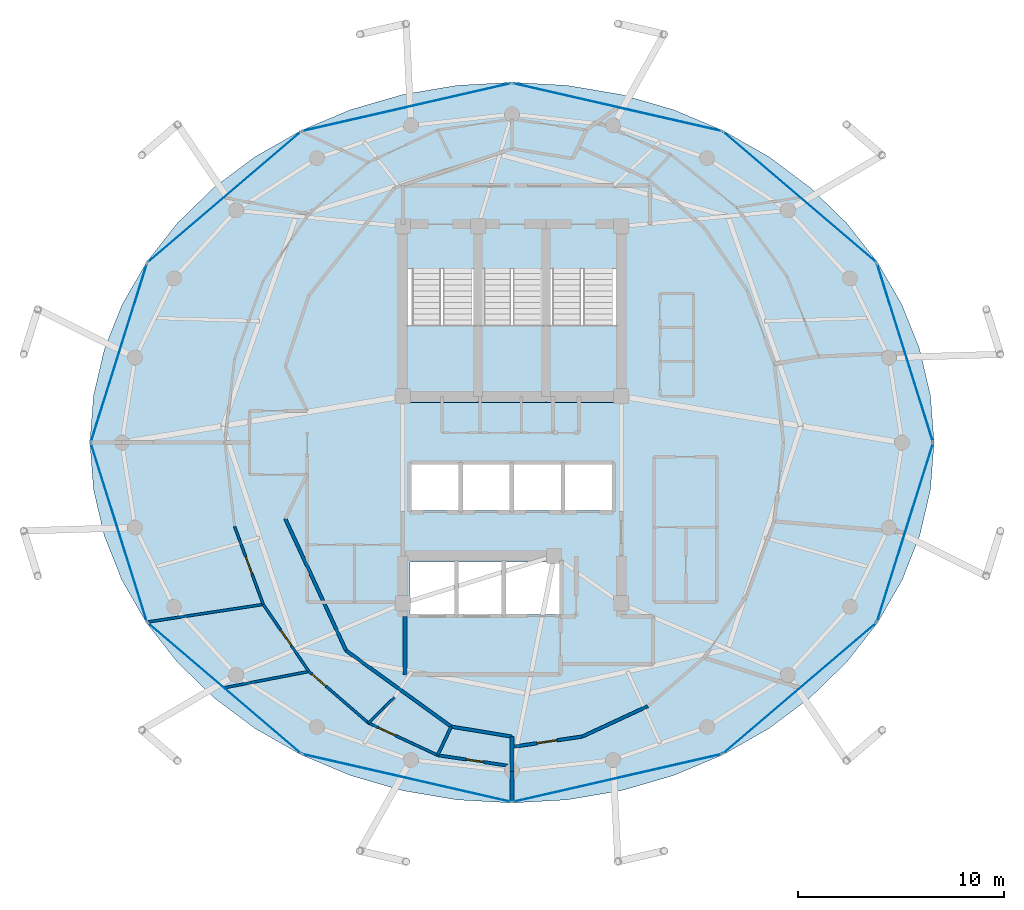
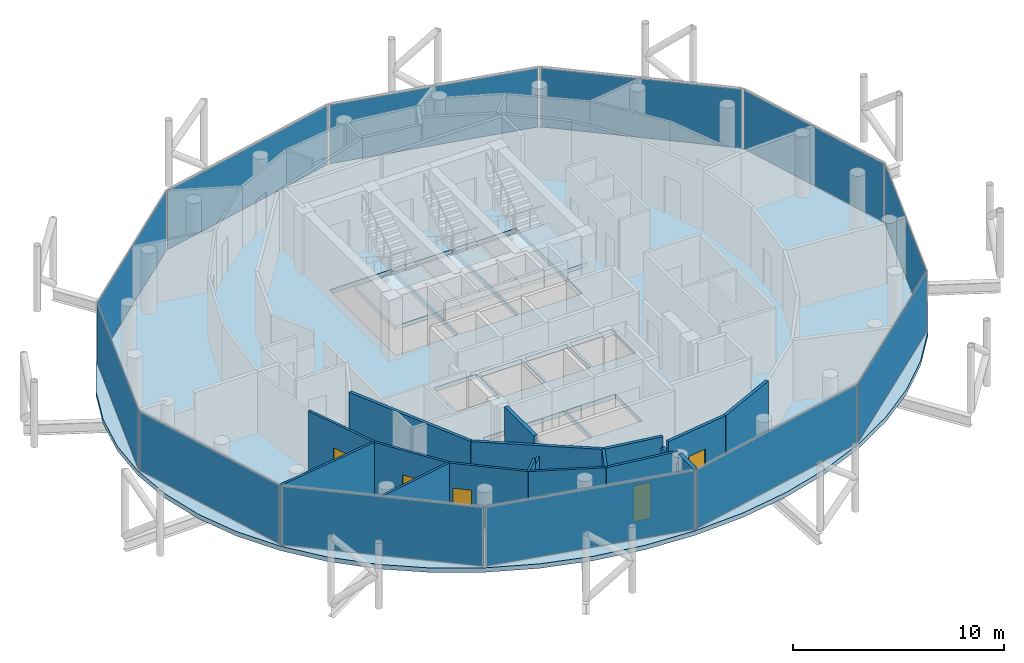
# One storey, part 19 of 24: 18 walls, 12 plates, 6 doors, 4 slabs, 6 openings, 15 elements without a shape of their own.
"""IFC4 building model written with IfcOpenShell, lengths in metres."""

from ifc_helpers import new_model, si_unit, direction, frame, frame_2d, origin, origin_2d, place, context, subcontext, project, spatial, polyline, rectangle, outline, extrude, material, layer, layer_set, type_object, element, fill, aggregate, save


model = new_model("IFC4")

# Units and contexts
model_context = context("Model", 3, precision=1e-05, world=origin(), true_north=direction((0.0, 1.0)))
body_context = subcontext(model_context, "Body", "Model", "MODEL_VIEW")
ifc_project = project(units=[si_unit("LENGTHUNIT", "METRE"), si_unit("AREAUNIT", "SQUARE_METRE"), si_unit("VOLUMEUNIT", "CUBIC_METRE"), si_unit("PLANEANGLEUNIT", "RADIAN"), si_unit("MASSUNIT", "GRAM", prefix="KILO")], contexts=[model_context])

# Site, building, storey
site_placement = place(None, origin())
site = spatial("IfcSite", under=ifc_project, at=site_placement, CompositionType="ELEMENT")
building_placement = place(site_placement, origin())
building = spatial("IfcBuilding", under=site, at=building_placement, Name="Nuhasar Tower", CompositionType="ELEMENT")
storey_placement = place(building_placement, frame((0.0, 0.0, 293.60009765625)))
storey = spatial("IfcBuildingStorey", under=building, at=storey_placement, Name="L73", CompositionType="ELEMENT", Elevation=293.60009765625)

# Curtain wall, plate
ifc_material_1 = material(Name="Aluminium 6063-T6", Category="aluminium")
ifc_layer_1 = layer(ifc_material_1, 0.18994140625)
ifc_layer_set_1 = layer_set([ifc_layer_1], Name="Aluminium 6063-T6")
curtain_wall_type = type_object("IfcCurtainWallType", Name="CW-Z4-PEN", PredefinedType="NOTDEFINED", material=ifc_layer_set_1)
curtain_wall_1_placement = place(storey_placement, origin())
curtain_wall_1 = element("IfcCurtainWall", 1, at=curtain_wall_1_placement, inside=storey, type_object=curtain_wall_type, Name="L73 Unitised Curtain Wall 01", PredefinedType="NOTDEFINED")
ifc_material_2 = material(Name="Glass Double Low-E", Category="glass")
ifc_layer_2 = layer(ifc_material_2, 0.028076171875)
ifc_layer_set_2 = layer_set([ifc_layer_2], Name="Glass Double Low-E")
plate_type = type_object("IfcPlateType", Name="CW-PANEL-GLZ", PredefinedType="CURTAIN_PANEL", material=ifc_layer_set_2)
plate_1_placement = place(storey_placement, frame((58.089599609375, 31.1650390625, 0.06005859375), z_axis=(0.0, 0.0, 1.0), x_axis=(-0.299556614146, 0.954078526601, 0.0)))
plate_1 = element("IfcPlate", 2, at=plate_1_placement, type_object=plate_type, Name="CW-Z4 panel 1.1", PredefinedType="CURTAIN_PANEL", context=body_context, shape_type="SweptSolid", body=[
    extrude(rectangle(XDim=9.0302734375, YDim=0.028076171875, at=origin_2d()), origin(), (0.0, 0.0, 1.0), 3.419921875),
])
aggregate(curtain_wall_1, [plate_1])

curtain_wall_2_placement = place(storey_placement, origin())
curtain_wall_2 = element("IfcCurtainWall", 3, at=curtain_wall_2_placement, inside=storey, type_object=curtain_wall_type, Name="L73 Unitised Curtain Wall 02", PredefinedType="NOTDEFINED")
plate_2_placement = place(storey_placement, frame((52.974609375, 38.7255859375, 0.06005859375), z_axis=(0.0, 0.0, 1.0), x_axis=(-0.760667252327, 0.649141996205, 0.0)))
plate_2 = element("IfcPlate", 4, at=plate_2_placement, type_object=plate_type, Name="CW-Z4 panel 1.1", PredefinedType="CURTAIN_PANEL", context=body_context, shape_type="SweptSolid", body=[
    extrude(rectangle(XDim=9.725341796875, YDim=0.028076171875, at=origin_2d()), origin(), (0.0, 0.0, 1.0), 3.419921875),
])
aggregate(curtain_wall_2, [plate_2])

curtain_wall_3_placement = place(storey_placement, origin())
curtain_wall_3 = element("IfcCurtainWall", 5, at=curtain_wall_3_placement, inside=storey, type_object=curtain_wall_type, Name="L73 Unitised Curtain Wall 03", PredefinedType="NOTDEFINED")
plate_3_placement = place(storey_placement, frame((44.114990234375, 43.090576171875, 0.06005859375), z_axis=(0.0, 0.0, 1.0), x_axis=(-0.97484371891, 0.222889487645, 0.0)))
plate_3 = element("IfcPlate", 6, at=plate_3_placement, type_object=plate_type, Name="CW-Z4 panel 1.1", PredefinedType="CURTAIN_PANEL", context=body_context, shape_type="SweptSolid", body=[
    extrude(rectangle(XDim=10.3740234375, YDim=0.028076171875, at=origin_2d()), origin(), (0.0, 0.0, 1.0), 3.419921875),
])
aggregate(curtain_wall_3, [plate_3])

curtain_wall_4_placement = place(storey_placement, origin())
curtain_wall_4 = element("IfcCurtainWall", 7, at=curtain_wall_4_placement, inside=storey, type_object=curtain_wall_type, Name="L73 Unitised Curtain Wall 04", PredefinedType="NOTDEFINED")
plate_4_placement = place(storey_placement, frame((33.885009765625, 43.090576171875, 0.06005859375), z_axis=(0.0, 0.0, 1.0), x_axis=(-0.97484371891, -0.222889487645, 0.0)))
plate_4 = element("IfcPlate", 8, at=plate_4_placement, type_object=plate_type, Name="CW-Z4 panel 1.1", PredefinedType="CURTAIN_PANEL", context=body_context, shape_type="SweptSolid", body=[
    extrude(rectangle(XDim=10.3740234375, YDim=0.028076171875, at=origin_2d()), origin(), (0.0, 0.0, 1.0), 3.419921875),
])
aggregate(curtain_wall_4, [plate_4])

curtain_wall_5_placement = place(storey_placement, origin())
curtain_wall_5 = element("IfcCurtainWall", 9, at=curtain_wall_5_placement, inside=storey, type_object=curtain_wall_type, Name="L73 Unitised Curtain Wall 05", PredefinedType="NOTDEFINED")
plate_5_placement = place(storey_placement, frame((25.025390625, 38.7255859375, 0.06005859375), z_axis=(0.0, 0.0, 1.0), x_axis=(-0.760667252327, -0.649141996205, 0.0)))
plate_5 = element("IfcPlate", 10, at=plate_5_placement, type_object=plate_type, Name="CW-Z4 panel 1.1", PredefinedType="CURTAIN_PANEL", context=body_context, shape_type="SweptSolid", body=[
    extrude(rectangle(XDim=9.725341796875, YDim=0.028076171875, at=origin_2d()), origin(), (0.0, 0.0, 1.0), 3.419921875),
])
aggregate(curtain_wall_5, [plate_5])

curtain_wall_6_placement = place(storey_placement, origin())
curtain_wall_6 = element("IfcCurtainWall", 11, at=curtain_wall_6_placement, inside=storey, type_object=curtain_wall_type, Name="L73 Unitised Curtain Wall 06", PredefinedType="NOTDEFINED")
plate_6_placement = place(storey_placement, frame((19.910400390625, 31.1650390625, 0.06005859375), z_axis=(0.0, 0.0, 1.0), x_axis=(-0.299556614146, -0.954078526601, 0.0)))
plate_6 = element("IfcPlate", 12, at=plate_6_placement, type_object=plate_type, Name="CW-Z4 panel 1.1", PredefinedType="CURTAIN_PANEL", context=body_context, shape_type="SweptSolid", body=[
    extrude(rectangle(XDim=9.0302734375, YDim=0.028076171875, at=origin_2d()), origin(), (0.0, 0.0, 1.0), 3.419921875),
])
aggregate(curtain_wall_6, [plate_6])

curtain_wall_7_placement = place(storey_placement, origin())
curtain_wall_7 = element("IfcCurtainWall", 13, at=curtain_wall_7_placement, inside=storey, type_object=curtain_wall_type, Name="L73 Unitised Curtain Wall 07", PredefinedType="NOTDEFINED")
plate_7_placement = place(storey_placement, frame((19.910400390625, 22.43505859375, 0.06005859375), z_axis=(0.0, 0.0, 1.0), x_axis=(0.299556614146, -0.954078526601, 0.0)))
plate_7 = element("IfcPlate", 14, at=plate_7_placement, type_object=plate_type, Name="CW-Z4 panel 1.1", PredefinedType="CURTAIN_PANEL", context=body_context, shape_type="SweptSolid", body=[
    extrude(rectangle(XDim=9.0302734375, YDim=0.028076171875, at=origin_2d()), origin(), (0.0, 0.0, 1.0), 3.419921875),
])
aggregate(curtain_wall_7, [plate_7])

curtain_wall_8_placement = place(storey_placement, origin())
curtain_wall_8 = element("IfcCurtainWall", 15, at=curtain_wall_8_placement, inside=storey, type_object=curtain_wall_type, Name="L73 Unitised Curtain Wall 08", PredefinedType="NOTDEFINED")
plate_8_placement = place(storey_placement, frame((25.025390625, 14.87451171875, 0.06005859375), z_axis=(0.0, 0.0, 1.0), x_axis=(0.760667252327, -0.649141996205, 0.0)))
plate_8 = element("IfcPlate", 16, at=plate_8_placement, type_object=plate_type, Name="CW-Z4 panel 1.1", PredefinedType="CURTAIN_PANEL", context=body_context, shape_type="SweptSolid", body=[
    extrude(rectangle(XDim=9.725341796875, YDim=0.028076171875, at=origin_2d()), origin(), (0.0, 0.0, 1.0), 3.419921875),
])
aggregate(curtain_wall_8, [plate_8])

curtain_wall_9_placement = place(storey_placement, origin())
curtain_wall_9 = element("IfcCurtainWall", 17, at=curtain_wall_9_placement, inside=storey, type_object=curtain_wall_type, Name="L73 Unitised Curtain Wall 09", PredefinedType="NOTDEFINED")
plate_9_placement = place(storey_placement, frame((33.885009765625, 10.509521484375, 0.06005859375), z_axis=(0.0, 0.0, 1.0), x_axis=(0.97484371891, -0.222889487645, 0.0)))
plate_9 = element("IfcPlate", 18, at=plate_9_placement, type_object=plate_type, Name="CW-Z4 panel 1.1", PredefinedType="CURTAIN_PANEL", context=body_context, shape_type="SweptSolid", body=[
    extrude(rectangle(XDim=10.3740234375, YDim=0.028076171875, at=origin_2d()), origin(), (0.0, 0.0, 1.0), 3.419921875),
])
aggregate(curtain_wall_9, [plate_9])

curtain_wall_10_placement = place(storey_placement, origin())
curtain_wall_10 = element("IfcCurtainWall", 19, at=curtain_wall_10_placement, inside=storey, type_object=curtain_wall_type, Name="L73 Unitised Curtain Wall 10", PredefinedType="NOTDEFINED")
plate_10_placement = place(storey_placement, frame((44.114990234375, 10.509521484375, 0.06005859375), z_axis=(0.0, 0.0, 1.0), x_axis=(0.97484371891, 0.222889487645, 0.0)))
plate_10 = element("IfcPlate", 20, at=plate_10_placement, type_object=plate_type, Name="CW-Z4 panel 1.1", PredefinedType="CURTAIN_PANEL", context=body_context, shape_type="SweptSolid", body=[
    extrude(rectangle(XDim=10.3740234375, YDim=0.028076171875, at=origin_2d()), origin(), (0.0, 0.0, 1.0), 3.419921875),
])
aggregate(curtain_wall_10, [plate_10])

curtain_wall_11_placement = place(storey_placement, origin())
curtain_wall_11 = element("IfcCurtainWall", 21, at=curtain_wall_11_placement, inside=storey, type_object=curtain_wall_type, Name="L73 Unitised Curtain Wall 11", PredefinedType="NOTDEFINED")
plate_11_placement = place(storey_placement, frame((52.974609375, 14.87451171875, 0.06005859375), z_axis=(0.0, 0.0, 1.0), x_axis=(0.760667252327, 0.649141996205, 0.0)))
plate_11 = element("IfcPlate", 22, at=plate_11_placement, type_object=plate_type, Name="CW-Z4 panel 1.1", PredefinedType="CURTAIN_PANEL", context=body_context, shape_type="SweptSolid", body=[
    extrude(rectangle(XDim=9.725341796875, YDim=0.028076171875, at=origin_2d()), origin(), (0.0, 0.0, 1.0), 3.419921875),
])
aggregate(curtain_wall_11, [plate_11])

curtain_wall_12_placement = place(storey_placement, origin())
curtain_wall_12 = element("IfcCurtainWall", 23, at=curtain_wall_12_placement, inside=storey, type_object=curtain_wall_type, Name="L73 Unitised Curtain Wall 12", PredefinedType="NOTDEFINED")
plate_12_placement = place(storey_placement, frame((58.089599609375, 22.43505859375, 0.06005859375), z_axis=(0.0, 0.0, 1.0), x_axis=(0.299556614146, 0.954078526601, 0.0)))
plate_12 = element("IfcPlate", 24, at=plate_12_placement, type_object=plate_type, Name="CW-Z4 panel 1.1", PredefinedType="CURTAIN_PANEL", context=body_context, shape_type="SweptSolid", body=[
    extrude(rectangle(XDim=9.0302734375, YDim=0.028076171875, at=origin_2d()), origin(), (0.0, 0.0, 1.0), 3.419921875),
])
aggregate(curtain_wall_12, [plate_12])

# Stair, slab
ifc_material_3 = material(Name="Concrete C45/55", Category="concrete")
stair_type_1 = type_object("IfcStairType", Name="STR-ST-01-2F-22R-1727", PredefinedType="HALF_TURN_STAIR", material=ifc_material_3)
stair_1_placement = place(storey_placement, origin())
stair_1 = element("IfcStair", 25, at=stair_1_placement, inside=storey, type_object=stair_type_1, Name="L73 Exit Stair ST-01", PredefinedType="HALF_TURN_STAIR")
ifc_layer_3 = layer(ifc_material_3, 0.239990234375)
ifc_layer_set_3 = layer_set([ifc_layer_3], Name="Concrete C45/55")
slab_type_1 = type_object("IfcSlabType", Name="SLB-STAIR-LND-240", PredefinedType="LANDING", material=ifc_layer_set_3)
slab_1_placement = place(storey_placement, frame((0.0, 0.0, 1.659912109375)))
slab_1 = element("IfcSlab", 26, at=slab_1_placement, type_object=slab_type_1, Name="ST-01 landing 1", PredefinedType="LANDING", context=body_context, shape_type="SweptSolid", body=[
    extrude(outline(polyline([(33.699951171875, 28.75), (37.35009765625, 28.75), (37.35009765625, 32.52001953125), (33.699951171875, 32.52001953125), (33.699951171875, 28.75)])), origin(), (0.0, 0.0, 1.0), 0.239990234375),
])
aggregate(stair_1, [slab_1])

stair_type_2 = type_object("IfcStairType", Name="STR-ST-03-2F-22R-1727", PredefinedType="HALF_TURN_STAIR", material=ifc_material_3)
stair_2_placement = place(storey_placement, origin())
stair_2 = element("IfcStair", 27, at=stair_2_placement, inside=storey, type_object=stair_type_2, Name="L73 Exit Stair ST-03", PredefinedType="HALF_TURN_STAIR")
slab_2_placement = place(storey_placement, frame((0.0, 0.0, 1.659912109375)))
slab_2 = element("IfcSlab", 28, at=slab_2_placement, type_object=slab_type_1, Name="ST-03 landing 1", PredefinedType="LANDING", context=body_context, shape_type="SweptSolid", body=[
    extrude(outline(polyline([(37.35009765625, 28.75), (40.64990234375, 28.75), (40.64990234375, 32.52001953125), (37.35009765625, 32.52001953125), (37.35009765625, 28.75)])), origin(), (0.0, 0.0, 1.0), 0.239990234375),
])
aggregate(stair_2, [slab_2])

stair_type_3 = type_object("IfcStairType", Name="STR-ST-02-2F-22R-1727", PredefinedType="HALF_TURN_STAIR", material=ifc_material_3)
stair_3_placement = place(storey_placement, origin())
stair_3 = element("IfcStair", 29, at=stair_3_placement, inside=storey, type_object=stair_type_3, Name="L73 Exit Stair ST-02", PredefinedType="HALF_TURN_STAIR")
slab_3_placement = place(storey_placement, frame((0.0, 0.0, 1.659912109375)))
slab_3 = element("IfcSlab", 30, at=slab_3_placement, type_object=slab_type_1, Name="ST-02 landing 1", PredefinedType="LANDING", context=body_context, shape_type="SweptSolid", body=[
    extrude(outline(polyline([(40.64990234375, 28.75), (44.300048828125, 28.75), (44.300048828125, 32.52001953125), (40.64990234375, 32.52001953125), (40.64990234375, 28.75)])), origin(), (0.0, 0.0, 1.0), 0.239990234375),
])
aggregate(stair_3, [slab_3])

# Slab
ifc_material_4 = material(Name="Concrete C50/60", Category="concrete")
ifc_layer_4 = layer(ifc_material_4, 0.260009765625)
ifc_layer_set_4 = layer_set([ifc_layer_4], Name="Concrete C50/60")
slab_type_2 = type_object("IfcSlabType", Name="SLB-Z1A-260", PredefinedType="FLOOR", material=ifc_layer_set_4)
slab_4_placement = place(storey_placement, frame((0.0, 0.0, -0.260009765625)))
element("IfcSlab", 31, at=slab_4_placement, inside=storey, type_object=slab_type_2, Name="L73 Structural Slab", PredefinedType="FLOOR", context=body_context, shape_type="SweptSolid", body=[
    extrude(outline(polyline([(59.5, 26.800048828125), (59.324951171875, 29.083984375), (58.801025390625, 31.3291015625), (57.93994140625, 33.4970703125), (56.75390625, 35.550048828125), (55.263916015625, 37.452880859375), (53.49609375, 39.174072265625), (51.47998046875, 40.68408203125), (49.25, 41.955078125), (46.844970703125, 42.968017578125), (44.305908203125, 43.7041015625), (41.676025390625, 44.14990234375), (39.0, 44.300048828125), (36.323974609375, 44.14990234375), (33.694091796875, 43.7041015625), (31.155029296875, 42.968017578125), (28.75, 41.955078125), (26.52001953125, 40.68408203125), (24.50390625, 39.174072265625), (22.736083984375, 37.452880859375), (21.24609375, 35.550048828125), (20.06005859375, 33.4970703125), (19.198974609375, 31.3291015625), (18.675048828125, 29.083984375), (18.5, 26.800048828125), (18.675048828125, 24.51611328125), (19.198974609375, 22.27099609375), (20.06005859375, 20.10302734375), (21.24609375, 18.050048828125), (22.736083984375, 16.14697265625), (24.50390625, 14.426025390625), (26.52001953125, 12.916015625), (28.75, 11.64501953125), (31.155029296875, 10.632080078125), (33.694091796875, 9.89599609375), (36.323974609375, 9.449951171875), (39.0, 9.300048828125), (41.676025390625, 9.449951171875), (44.305908203125, 9.89599609375), (46.844970703125, 10.632080078125), (49.25, 11.64501953125), (51.47998046875, 12.916015625), (53.49609375, 14.426025390625), (55.263916015625, 16.14697265625), (56.75390625, 18.050048828125), (57.93994140625, 20.10302734375), (58.801025390625, 22.27099609375), (59.324951171875, 24.51611328125), (59.5, 26.800048828125)]), holes=[polyline([(33.8798828125, 35.25), (37.300048828125, 35.25), (37.300048828125, 29.0), (33.8798828125, 29.0), (33.8798828125, 35.25)]), polyline([(37.39990234375, 35.25), (40.60009765625, 35.25), (40.60009765625, 29.0), (37.39990234375, 29.0), (37.39990234375, 35.25)]), polyline([(40.699951171875, 35.25), (44.1201171875, 35.25), (44.1201171875, 29.0), (40.699951171875, 29.0), (40.699951171875, 35.25)]), polyline([(34.10009765625, 25.75), (36.43994140625, 25.75), (36.43994140625, 23.5), (34.10009765625, 23.5), (34.10009765625, 25.75)]), polyline([(36.580078125, 25.75), (38.919921875, 25.75), (38.919921875, 23.5), (36.580078125, 23.5), (36.580078125, 25.75)]), polyline([(39.06005859375, 25.75), (41.39990234375, 25.75), (41.39990234375, 23.5), (39.06005859375, 23.5), (39.06005859375, 25.75)]), polyline([(41.5400390625, 25.75), (43.8798828125, 25.75), (43.8798828125, 23.5), (41.5400390625, 23.5), (41.5400390625, 25.75)]), polyline([(34.050048828125, 21.0), (36.25, 21.0), (36.25, 18.449951171875), (34.050048828125, 18.449951171875), (34.050048828125, 21.0)]), polyline([(36.35009765625, 21.0), (38.550048828125, 21.0), (38.550048828125, 18.449951171875), (36.35009765625, 18.449951171875), (36.35009765625, 21.0)]), polyline([(38.64990234375, 21.0), (41.320068359375, 21.0), (41.320068359375, 18.449951171875), (38.64990234375, 18.449951171875), (38.64990234375, 21.0)])]), origin(), (0.0, 0.0, 1.0), 0.260009765625),
])

# Wall, opening, door
ifc_material_5 = material(Name="Gypsum Board", Category="gypsum")
ifc_layer_5 = layer(ifc_material_5, 0.159912109375)
ifc_layer_set_5 = layer_set([ifc_layer_5], Name="Gypsum Board")
wall_type_1 = type_object("IfcWallType", Name="WL-CORR-160", PredefinedType="PARTITIONING", material=ifc_layer_set_5)
wall_1_placement = place(storey_placement, frame((42.4140625, 12.52392578125, 0.0), z_axis=(0.0, 0.0, 1.0), x_axis=(-0.989282323844, -0.146015354435, 0.0)))
wall_1 = element("IfcWall", 32, at=wall_1_placement, inside=storey, type_object=wall_type_1, Name="L73 Interior Partition CORR-36", PredefinedType="PARTITIONING", context=body_context, shape_type="SweptSolid", body=[
    extrude(rectangle(XDim=3.450927734375, YDim=0.159912109375, at=frame_2d((1.7255859375, 0.0))), origin(), (0.0, 0.0, 1.0), 3.539794921875),
])
opening_1_placement = place(wall_1_placement, frame((1.22607421875, 0.0, 0.0)))
opening_1 = element("IfcOpeningElement", 33, at=opening_1_placement, cuts=wall_1, Name="Opening DU-02", PredefinedType="OPENING", context=body_context, shape_type="SweptSolid", body=[
    extrude(rectangle(XDim=1.0, YDim=2.14990234375, at=frame_2d((0.5, 1.074951171875))), frame((0.0, 0.08984375, 0.0), z_axis=(0.0, -1.0, 0.0), x_axis=(1.0, 0.0, 0.0)), (0.0, 0.0, 1.0), 0.179931640625),
])
ifc_material_6 = material(Name="Timber Oak", Category="wood")
door_type_1 = type_object("IfcDoorType", Name="DR-FLAT-FD60-1000", OperationType="NOTDEFINED", PredefinedType="DOOR", material=ifc_material_6)
door_1_placement = place(opening_1_placement, origin())
door_1 = element("IfcDoor", 34, at=door_1_placement, inside=storey, type_object=door_type_1, Name="L73 Private Spa Therapy Clinic Entrance Door", OperationType="SINGLE_SWING_RIGHT", OverallHeight=2.14990234375, OverallWidth=1.0, PredefinedType="DOOR", context=body_context, shape_type="SweptSolid", body=[
    extrude(rectangle(XDim=1.0, YDim=2.14990234375, at=frame_2d((0.5, 1.074951171875))), frame((0.0, 0.02490234375, 0.0), z_axis=(0.0, -1.0, 0.0), x_axis=(1.0, 0.0, 0.0)), (0.0, 0.0, 1.0), 0.050048828125),
])
fill(opening_1, door_1)

# Walls
wall_2_placement = place(storey_placement, frame((42.4140625, 12.52392578125, 0.0), z_axis=(0.0, 0.0, 1.0), x_axis=(0.907093473746, 0.420929245703, 0.0)))
element("IfcWall", 35, at=wall_2_placement, inside=storey, type_object=wall_type_1, Name="L73 Interior Partition CORR-38", PredefinedType="PARTITIONING", context=body_context, shape_type="SweptSolid", body=[
    extrude(rectangle(XDim=3.506591796875, YDim=0.159912109375, at=frame_2d((1.75341796875, 0.0))), origin(), (0.0, 0.0, 1.0), 3.539794921875),
])
wall_3_placement = place(storey_placement, frame((27.988037109375, 23.10400390625, 0.0), z_axis=(0.0, 0.0, 1.0), x_axis=(0.418656179426, -0.908144814128, 0.0)))
element("IfcWall", 36, at=wall_3_placement, inside=storey, type_object=wall_type_1, Name="L73 Interior Partition UWEST-CORE-S1-26", PredefinedType="PARTITIONING", context=body_context, shape_type="SweptSolid", body=[
    extrude(rectangle(XDim=7.048583984375, YDim=0.159912109375, at=frame_2d((3.5244140625, 0.0))), origin(), (0.0, 0.0, 1.0), 3.539794921875),
])
wall_4_placement = place(storey_placement, frame((30.93896484375, 16.702880859375, 0.0), z_axis=(0.0, 0.0, 1.0), x_axis=(0.810290119061, -0.586028943784, 0.0)))
element("IfcWall", 37, at=wall_4_placement, inside=storey, type_object=wall_type_1, Name="L73 Interior Partition UWEST-CORE-S1-30", PredefinedType="PARTITIONING", context=body_context, shape_type="SweptSolid", body=[
    extrude(rectangle(XDim=6.306396484375, YDim=0.159912109375, at=frame_2d((3.1533203125, 0.0))), origin(), (0.0, 0.0, 1.0), 3.539794921875),
])
wall_5_placement = place(storey_placement, frame((36.049072265625, 13.007080078125, 0.0), z_axis=(0.0, 0.0, 1.0), x_axis=(0.986650832406, -0.162850038111, 0.0)))
element("IfcWall", 38, at=wall_5_placement, inside=storey, type_object=wall_type_1, Name="L73 Interior Partition UWEST-CORE-S2-34", PredefinedType="PARTITIONING", context=body_context, shape_type="SweptSolid", body=[
    extrude(rectangle(XDim=2.990966796875, YDim=0.159912109375, at=frame_2d((1.49560546875, 0.0))), origin(), (0.0, 0.0, 1.0), 3.539794921875),
])
ifc_layer_6 = layer(ifc_material_3, 0.199951171875)
ifc_layer_set_6 = layer_set([ifc_layer_6], Name="Concrete C45/55")
wall_type_2 = type_object("IfcWallType", Name="WL-LOBBY-200", PredefinedType="SOLIDWALL", material=ifc_layer_set_6)
wall_6_placement = place(storey_placement, frame((33.800048828125, 15.550048828125, 0.0), z_axis=(0.0, 0.0, 1.0), x_axis=(0.0, 1.0, 0.0)))
element("IfcWall", 39, at=wall_6_placement, inside=storey, type_object=wall_type_2, Name="L73 Interior Partition FFL-W", PredefinedType="SOLIDWALL", context=body_context, shape_type="SweptSolid", body=[
    extrude(rectangle(XDim=2.800048828125, YDim=0.199951171875, at=frame_2d((1.39990234375, 0.0))), origin(), (0.0, 0.0, 1.0), 3.539794921875),
])

# Wall, opening, door
ifc_layer_7 = layer(ifc_material_5, 0.125)
ifc_layer_set_7 = layer_set([ifc_layer_7], Name="Gypsum Board")
wall_type_3 = type_object("IfcWallType", Name="WL-PART-125", PredefinedType="PARTITIONING", material=ifc_layer_set_7)
wall_7_placement = place(storey_placement, frame((35.388916015625, 11.615966796875, 0.0), z_axis=(0.0, 0.0, 1.0), x_axis=(-0.906162977721, 0.422928667517, 0.0)))
wall_7 = element("IfcWall", 40, at=wall_7_placement, inside=storey, type_object=wall_type_3, Name="L73 Interior Partition USM-2-K-32", PredefinedType="PARTITIONING", context=body_context, shape_type="SweptSolid", body=[
    extrude(rectangle(XDim=3.71240234375, YDim=0.125, at=frame_2d((1.856201171875, 0.0))), origin(), (0.0, 0.0, 1.0), 3.539794921875),
])
opening_2_placement = place(wall_7_placement, frame((2.260009765625, 0.0, 0.0)))
opening_2 = element("IfcOpeningElement", 41, at=opening_2_placement, cuts=wall_7, Name="Opening DR-01", PredefinedType="OPENING", context=body_context, shape_type="SweptSolid", body=[
    extrude(rectangle(XDim=0.89990234375, YDim=2.10009765625, at=frame_2d((0.449951171875, 1.050048828125))), frame((0.0, 0.072509765625, 0.0), z_axis=(0.0, -1.0, 0.0), x_axis=(1.0, 0.0, 0.0)), (0.0, 0.0, 1.0), 0.14501953125),
])
door_type_2 = type_object("IfcDoorType", Name="DR-ROOM-900", OperationType="NOTDEFINED", PredefinedType="DOOR", material=ifc_material_6)
door_2_placement = place(opening_2_placement, origin())
door_2 = element("IfcDoor", 42, at=door_2_placement, inside=storey, type_object=door_type_2, Name="L73 South-West Sky Home Kitchen Door", OperationType="SINGLE_SWING_RIGHT", OverallHeight=2.10009765625, OverallWidth=0.89990234375, PredefinedType="DOOR", context=body_context, shape_type="SweptSolid", body=[
    extrude(rectangle(XDim=0.89990234375, YDim=2.10009765625, at=frame_2d((0.449951171875, 1.050048828125))), frame((0.0, 0.02490234375, 0.0), z_axis=(0.0, -1.0, 0.0), x_axis=(1.0, 0.0, 0.0)), (0.0, 0.0, 1.0), 0.050048828125),
])
fill(opening_2, door_2)

# Walls
wall_8_placement = place(storey_placement, frame((33.300048828125, 14.43310546875, 0.0), z_axis=(0.0, 0.0, 1.0), x_axis=(-0.714672361604, -0.699459373774, 0.0)))
element("IfcWall", 43, at=wall_8_placement, inside=storey, type_object=wall_type_3, Name="L73 Interior Partition USI-2-DK", PredefinedType="PARTITIONING", context=body_context, shape_type="SweptSolid", body=[
    extrude(rectangle(XDim=0.72216796875, YDim=0.125, at=frame_2d((0.361083984375, 0.0))), origin(), (0.0, 0.0, 1.0), 3.184814453125),
])
wall_9_placement = place(storey_placement, frame((32.783935546875, 13.927978515625, 0.0), z_axis=(0.0, 0.0, 1.0), x_axis=(-0.715111418379, -0.699010485833, 0.0)))
element("IfcWall", 44, at=wall_9_placement, inside=storey, type_object=wall_type_3, Name="L73 Interior Partition USI-2-DK", PredefinedType="PARTITIONING", context=body_context, shape_type="SweptSolid", body=[
    extrude(rectangle(XDim=1.0615234375, YDim=0.125, at=frame_2d((0.53076171875, 0.0))), origin(), (0.0, 0.0, 1.0), 3.539794921875),
])

# Wall, opening, door
wall_10_placement = place(storey_placement, frame((26.9189453125, 18.93994140625, 0.0), z_axis=(0.0, 0.0, 1.0), x_axis=(-0.345128286029, 0.938555521097, 0.0)))
wall_10 = element("IfcWall", 45, at=wall_10_placement, inside=storey, type_object=wall_type_3, Name="L73 Interior Partition USM-2-D-26", PredefinedType="PARTITIONING", context=body_context, shape_type="SweptSolid", body=[
    extrude(rectangle(XDim=4.039306640625, YDim=0.125, at=frame_2d((2.01953125, 0.0))), origin(), (0.0, 0.0, 1.0), 3.539794921875),
])
opening_3_placement = place(wall_10_placement, frame((1.570068359375, 0.0, 0.0)))
opening_3 = element("IfcOpeningElement", 46, at=opening_3_placement, cuts=wall_10, Name="Opening DR-01", PredefinedType="OPENING", context=body_context, shape_type="SweptSolid", body=[
    extrude(rectangle(XDim=0.89990234375, YDim=2.10009765625, at=frame_2d((0.449951171875, 1.050048828125))), frame((0.0, 0.072509765625, 0.0), z_axis=(0.0, -1.0, 0.0), x_axis=(1.0, 0.0, 0.0)), (0.0, 0.0, 1.0), 0.14501953125),
])
door_3_placement = place(opening_3_placement, origin())
door_3 = element("IfcDoor", 47, at=door_3_placement, inside=storey, type_object=door_type_2, Name="L73 South-West Sky Home Living Door", OperationType="SINGLE_SWING_RIGHT", OverallHeight=2.10009765625, OverallWidth=0.89990234375, PredefinedType="DOOR", context=body_context, shape_type="SweptSolid", body=[
    extrude(rectangle(XDim=0.89990234375, YDim=2.10009765625, at=frame_2d((0.449951171875, 1.050048828125))), frame((0.0, 0.02490234375, 0.0), z_axis=(0.0, -1.0, 0.0), x_axis=(1.0, 0.0, 0.0)), (0.0, 0.0, 1.0), 0.050048828125),
])
fill(opening_3, door_3)

wall_11_placement = place(storey_placement, frame((29.135986328125, 15.68408203125, 0.0), z_axis=(0.0, 0.0, 1.0), x_axis=(-0.562840533245, 0.826565505049, 0.0)))
wall_11 = element("IfcWall", 48, at=wall_11_placement, inside=storey, type_object=wall_type_3, Name="L73 Interior Partition USM-2-D-28", PredefinedType="PARTITIONING", context=body_context, shape_type="SweptSolid", body=[
    extrude(rectangle(XDim=3.93896484375, YDim=0.125, at=frame_2d((1.969482421875, 0.0))), origin(), (0.0, 0.0, 1.0), 3.539794921875),
])
opening_4_placement = place(wall_11_placement, frame((1.52001953125, 0.0, 0.0)))
opening_4 = element("IfcOpeningElement", 49, at=opening_4_placement, cuts=wall_11, Name="Opening DR-01", PredefinedType="OPENING", context=body_context, shape_type="SweptSolid", body=[
    extrude(rectangle(XDim=0.89990234375, YDim=2.10009765625, at=frame_2d((0.449951171875, 1.050048828125))), frame((0.0, 0.072509765625, 0.0), z_axis=(0.0, -1.0, 0.0), x_axis=(1.0, 0.0, 0.0)), (0.0, 0.0, 1.0), 0.14501953125),
])
door_4_placement = place(opening_4_placement, origin())
door_4 = element("IfcDoor", 50, at=door_4_placement, inside=storey, type_object=door_type_2, Name="L73 South-West Sky Home Study Door", OperationType="SINGLE_SWING_LEFT", OverallHeight=2.10009765625, OverallWidth=0.89990234375, PredefinedType="DOOR", context=body_context, shape_type="SweptSolid", body=[
    extrude(rectangle(XDim=0.89990234375, YDim=2.10009765625, at=frame_2d((0.449951171875, 1.050048828125))), frame((0.0, 0.02490234375, 0.0), z_axis=(0.0, -1.0, 0.0), x_axis=(1.0, 0.0, 0.0)), (0.0, 0.0, 1.0), 0.050048828125),
])
fill(opening_4, door_4)

wall_12_placement = place(storey_placement, frame((32.02490234375, 13.18603515625, 0.0), z_axis=(0.0, 0.0, 1.0), x_axis=(-0.756424716633, 0.654080765706, 0.0)))
wall_12 = element("IfcWall", 51, at=wall_12_placement, inside=storey, type_object=wall_type_3, Name="L73 Interior Partition USM-2-D-30", PredefinedType="PARTITIONING", context=body_context, shape_type="SweptSolid", body=[
    extrude(rectangle(XDim=3.819091796875, YDim=0.125, at=frame_2d((1.90966796875, 0.0))), origin(), (0.0, 0.0, 1.0), 3.539794921875),
])
opening_5_placement = place(wall_12_placement, frame((2.718994140625, 0.0, 0.0)))
opening_5 = element("IfcOpeningElement", 52, at=opening_5_placement, cuts=wall_12, Name="Opening DR-01", PredefinedType="OPENING", context=body_context, shape_type="SweptSolid", body=[
    extrude(rectangle(XDim=0.89990234375, YDim=2.10009765625, at=frame_2d((0.449951171875, 1.050048828125))), frame((0.0, 0.072509765625, 0.0), z_axis=(0.0, -1.0, 0.0), x_axis=(1.0, 0.0, 0.0)), (0.0, 0.0, 1.0), 0.14501953125),
])
door_5_placement = place(opening_5_placement, origin())
door_5 = element("IfcDoor", 53, at=door_5_placement, inside=storey, type_object=door_type_2, Name="L73 South-West Sky Home Master Bedroom Door", OperationType="SINGLE_SWING_RIGHT", OverallHeight=2.10009765625, OverallWidth=0.89990234375, PredefinedType="DOOR", context=body_context, shape_type="SweptSolid", body=[
    extrude(rectangle(XDim=0.89990234375, YDim=2.10009765625, at=frame_2d((0.449951171875, 1.050048828125))), frame((0.0, 0.02490234375, 0.0), z_axis=(0.0, -1.0, 0.0), x_axis=(1.0, 0.0, 0.0)), (0.0, 0.0, 1.0), 0.050048828125),
])
fill(opening_5, door_5)

# Walls
wall_13_placement = place(storey_placement, frame((26.9189453125, 18.93994140625, 0.0), z_axis=(0.0, 0.0, 1.0), x_axis=(-0.988653601615, -0.150213368291, 0.0)))
element("IfcWall", 54, at=wall_13_placement, inside=storey, type_object=wall_type_3, Name="L73 Interior Partition USO-2-B1", PredefinedType="PARTITIONING", context=body_context, shape_type="SweptSolid", body=[
    extrude(rectangle(XDim=5.67236328125, YDim=0.125, at=frame_2d((2.836181640625, 0.0))), origin(), (0.0, 0.0, 1.0), 3.539794921875),
])
wall_14_placement = place(storey_placement, frame((29.135986328125, 15.68408203125, 0.0), z_axis=(0.0, 0.0, 1.0), x_axis=(-0.982041578383, -0.188664618643, 0.0)))
element("IfcWall", 55, at=wall_14_placement, inside=storey, type_object=wall_type_3, Name="L73 Interior Partition USO-2-B2", PredefinedType="PARTITIONING", context=body_context, shape_type="SweptSolid", body=[
    extrude(rectangle(XDim=4.16162109375, YDim=0.125, at=frame_2d((2.080810546875, 0.0))), origin(), (0.0, 0.0, 1.0), 3.539794921875),
])
ifc_material_7 = material(Name="Concrete C40/50 precast", Category="concrete")
ifc_layer_8 = layer(ifc_material_7, 0.199951171875)
ifc_layer_set_8 = layer_set([ifc_layer_8], Name="Concrete C40/50 precast")
wall_type_4 = type_object("IfcWallType", Name="WL-UNIT-200", PredefinedType="PARTITIONING", material=ifc_layer_set_8)
wall_15_placement = place(storey_placement, frame((39.0, 12.52001953125, 0.0), z_axis=(0.0, 0.0, 1.0), x_axis=(0.0, -1.0, 0.0)))
element("IfcWall", 56, at=wall_15_placement, inside=storey, type_object=wall_type_4, Name="L73 Interior Partition URAD-36-SW", PredefinedType="PARTITIONING", context=body_context, shape_type="SweptSolid", body=[
    extrude(rectangle(XDim=1.68994140625, YDim=0.199951171875, at=frame_2d((0.844970703125, 0.0))), origin(), (0.0, 0.0, 1.0), 2.9248046875),
])
wall_16_placement = place(storey_placement, frame((39.0, 10.830078125, 0.0), z_axis=(0.0, 0.0, 1.0), x_axis=(0.0, -1.0, 0.0)))
element("IfcWall", 57, at=wall_16_placement, inside=storey, type_object=wall_type_4, Name="L73 Interior Partition URAD-36-SW", PredefinedType="PARTITIONING", context=body_context, shape_type="SweptSolid", body=[
    extrude(rectangle(XDim=1.455078125, YDim=0.199951171875, at=frame_2d((0.7275390625, 0.0))), origin(), (0.0, 0.0, 1.0), 3.539794921875),
])

# Wall, opening, door
ifc_layer_9 = layer(ifc_material_7, 0.139892578125)
ifc_layer_set_9 = layer_set([ifc_layer_9], Name="Concrete C40/50 precast")
wall_type_5 = type_object("IfcWallType", Name="WL-WET-140", PredefinedType="PARTITIONING", material=ifc_layer_set_9)
wall_17_placement = place(storey_placement, frame((39.0, 11.080078125, 0.0), z_axis=(0.0, 0.0, 1.0), x_axis=(-0.989167166266, 0.146793450744, 0.0)))
wall_17 = element("IfcWall", 58, at=wall_17_placement, inside=storey, type_object=wall_type_5, Name="L73 Interior Partition USM-2-B-34", PredefinedType="PARTITIONING", context=body_context, shape_type="SweptSolid", body=[
    extrude(rectangle(XDim=3.650634765625, YDim=0.139892578125, at=frame_2d((1.8251953125, 0.0))), origin(), (0.0, 0.0, 1.0), 3.539794921875),
])
opening_6_placement = place(wall_17_placement, frame((1.39990234375, 0.0, 0.0)))
opening_6 = element("IfcOpeningElement", 59, at=opening_6_placement, cuts=wall_17, Name="Opening DB-01", PredefinedType="OPENING", context=body_context, shape_type="SweptSolid", body=[
    extrude(rectangle(XDim=0.85009765625, YDim=2.10009765625, at=frame_2d((0.425048828125, 1.050048828125))), frame((0.0, 0.080078125, 0.0), z_axis=(0.0, -1.0, 0.0), x_axis=(1.0, 0.0, 0.0)), (0.0, 0.0, 1.0), 0.159912109375),
])
door_type_3 = type_object("IfcDoorType", Name="DR-BATH-850", OperationType="NOTDEFINED", PredefinedType="DOOR", material=ifc_material_6)
door_6_placement = place(opening_6_placement, origin())
door_6 = element("IfcDoor", 60, at=door_6_placement, inside=storey, type_object=door_type_3, Name="L73 South-West Sky Home En-Suite Door", OperationType="SINGLE_SWING_RIGHT", OverallHeight=2.10009765625, OverallWidth=0.85009765625, PredefinedType="DOOR", context=body_context, shape_type="SweptSolid", body=[
    extrude(rectangle(XDim=0.85009765625, YDim=2.10009765625, at=frame_2d((0.425048828125, 1.050048828125))), frame((0.0, 0.02490234375, 0.0), z_axis=(0.0, -1.0, 0.0), x_axis=(1.0, 0.0, 0.0)), (0.0, 0.0, 1.0), 0.050048828125),
])
fill(opening_6, door_6)

# Wall
wall_18_placement = place(storey_placement, frame((36.049072265625, 13.007080078125, 0.0), z_axis=(0.0, 0.0, 1.0), x_axis=(-0.428726905473, -0.903434137347, 0.0)))
element("IfcWall", 61, at=wall_18_placement, inside=storey, type_object=wall_type_5, Name="L73 Interior Partition USI-2-KB", PredefinedType="PARTITIONING", context=body_context, shape_type="SweptSolid", body=[
    extrude(rectangle(XDim=1.539794921875, YDim=0.139892578125, at=frame_2d((0.77001953125, 0.0))), origin(), (0.0, 0.0, 1.0), 3.539794921875),
])

save(model, "model.ifc")
